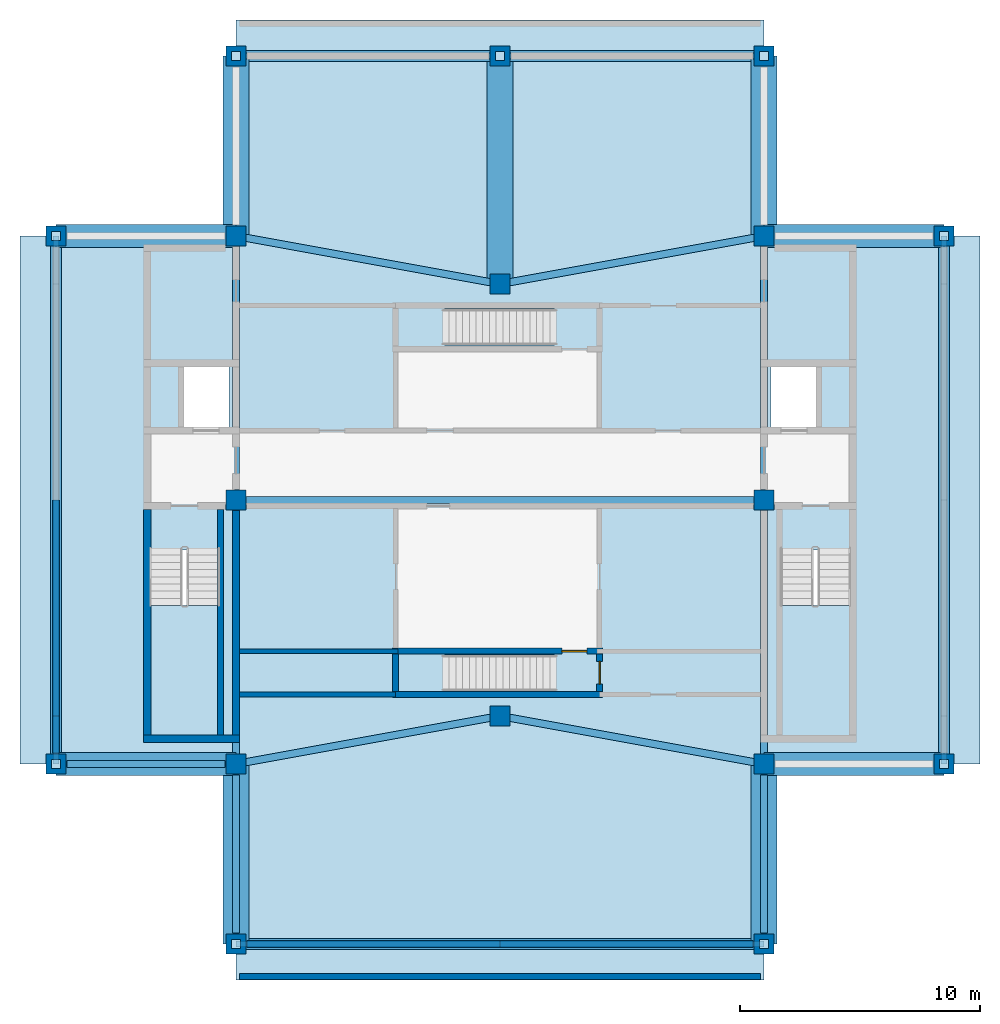
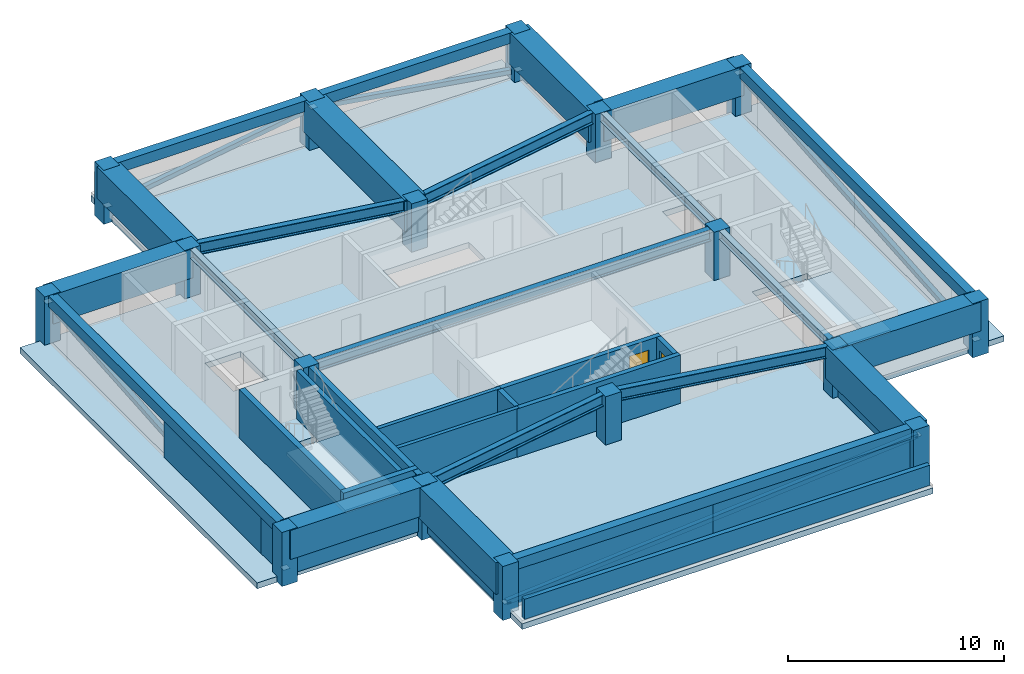
# One storey, part 1 of 4: 20 beams, 18 walls, 17 columns, 9 plates, 7 slabs, 5 members, 2 doors, 2 openings, 2 elements without a shape of their own.
"""IFC4 building model written with IfcOpenShell, lengths in metres."""

from ifc_helpers import new_model, si_unit, direction, frame, frame_2d, origin, origin_2d, place, context, subcontext, project, spatial, polyline, rectangle, hollow_rectangle, i_section, outline, extrude, material, layer, layer_set, material_profile, profile_set, type_object, element, fill, aggregate, save


model = new_model("IFC4")

# Units and contexts
model_context = context("Model", 3, precision=1e-05, world=origin(), true_north=direction((0.0, 1.0)))
body_context = subcontext(model_context, "Body", "Model", "MODEL_VIEW")
ifc_project = project(units=[si_unit("LENGTHUNIT", "METRE"), si_unit("AREAUNIT", "SQUARE_METRE"), si_unit("VOLUMEUNIT", "CUBIC_METRE"), si_unit("PLANEANGLEUNIT", "RADIAN"), si_unit("MASSUNIT", "GRAM", prefix="KILO")], contexts=[model_context])

# Site, building, storey
site_placement = place(None, origin())
site = spatial("IfcSite", under=ifc_project, at=site_placement, CompositionType="ELEMENT")
building_placement = place(site_placement, origin())
building = spatial("IfcBuilding", under=site, at=building_placement, Name="Zulmaris Gate Convention Tower", CompositionType="ELEMENT")
storey_placement = place(building_placement, frame((0.0, 0.0, 284.85986328125)))
storey = spatial("IfcBuildingStorey", under=building, at=storey_placement, Name="L76", CompositionType="ELEMENT", Elevation=284.85986328125)

# Columns
ifc_material_1 = material(Name="Concrete C60/75", Category="concrete")
ifc_material_profile_1 = material_profile(ifc_material_1, rectangle(XDim=0.85009765625, YDim=0.85009765625, at=origin_2d()), Name="RC COL 850x850")
ifc_profile_set_1 = profile_set([ifc_material_profile_1], Name="Concrete C60/75")
column_type = type_object("IfcColumnType", Name="COL-RC850", PredefinedType="COLUMN", material=ifc_profile_set_1)
for number, where, z_axis, x_axis, name in (
    (1, (-11.0, -18.5, -0.324951171875), (0.0, 0.0, 1.0), (1.0, 0.0, 0.0), "L76 Column CR--11.00_-18.50"),
    (2, (11.0, -18.5, -0.324951171875), (0.0, 0.0, 1.0), (1.0, 0.0, 0.0), "L76 Column CR-+11.00_-18.50"),
    (3, (18.5, -11.0, -0.324951171875), (0.0, 0.0, 1.0), (1.0, 0.0, 0.0), "L76 Column CR-+18.50_-11.00"),
    (4, (18.5, 11.0, -0.324951171875), (0.0, 0.0, 1.0), (1.0, 0.0, 0.0), "L76 Column CR-+18.50_+11.00"),
    (5, (11.0, 18.5, -0.324951171875), (0.0, 0.0, 1.0), (1.0, 0.0, 0.0), "L76 Column CR-+11.00_+18.50"),
    (6, (0.0, 18.5, -0.324951171875), (0.0, 0.0, 1.0), (1.0, 0.0, 0.0), "L76 Column CR-+0.00_+18.50"),
    (7, (-11.0, 18.5, -0.324951171875), (0.0, 0.0, 1.0), (1.0, 0.0, 0.0), "L76 Column CR--11.00_+18.50"),
    (8, (-18.5, 11.0, -0.324951171875), (0.0, 0.0, 1.0), (1.0, 0.0, 0.0), "L76 Column CR--18.50_+11.00"),
    (9, (-18.5, -11.0, -0.324951171875), (0.0, 0.0, 1.0), (1.0, 0.0, 0.0), "L76 Column CR--18.50_-11.00"),
    (10, (-11.0, -11.0, -0.324951171875), (0.0, 0.0, 1.0), (1.0, 0.0, 0.0), "L76 Column CR--11.00_-11.00"),
    (11, (11.0, -11.0, -0.324951171875), (0.0, 0.0, 1.0), (1.0, 0.0, 0.0), "L76 Column CR-+11.00_-11.00"),
    (12, (-11.0, 11.0, -0.324951171875), (0.0, 0.0, 1.0), (1.0, 0.0, 0.0), "L76 Column CR--11.00_+11.00"),
    (13, (11.0, 11.0, -0.324951171875), (0.0, 0.0, 1.0), (1.0, 0.0, 0.0), "L76 Column CR-+11.00_+11.00"),
    (14, (-11.0, 0.0, -0.324951171875), (0.0, 0.0, 1.0), (1.0, 0.0, 0.0), "L76 Column CR--11.00_+0.00"),
    (15, (11.0, 0.0, -0.324951171875), (0.0, 0.0, 1.0), (1.0, 0.0, 0.0), "L76 Column CR-+11.00_+0.00"),
    (16, (0.0, -9.0, -0.324951171875), (0.0, 0.0, 1.0), (1.0, 0.0, 0.0), "L76 Column CR-+0.00_-9.00"),
    (17, (0.0, 9.0, -0.324951171875), (0.0, 0.0, 1.0), (1.0, 0.0, 0.0), "L76 Column CR-+0.00_+9.00"),
):
    element("IfcColumn", number, at=place(storey_placement, frame(where, z_axis=z_axis, x_axis=x_axis)), inside=storey, type_object=column_type, Name=name, PredefinedType="COLUMN", context=body_context, shape_type="SweptSolid", body=[
        extrude(rectangle(XDim=0.85009765625, YDim=0.85009765625, at=origin_2d()), origin(), (0.0, 0.0, 1.0), 3.06005859375),
    ])

# Beams
ifc_material_2 = material(Name="Steel S355", Category="steel")
ifc_material_profile_2 = material_profile(ifc_material_2, i_section(OverallWidth=0.300048828125, OverallDepth=0.5, WebThickness=0.014404296875, FlangeThickness=0.028076171875, FilletRadius=0.027099609375, at=origin_2d()), Name="HEB 500")
ifc_profile_set_2 = profile_set([ifc_material_profile_2], Name="Steel S355")
beam_type_1 = type_object("IfcBeamType", Name="BM-HEB500", PredefinedType="BEAM", material=ifc_profile_set_2)
for number, where, z_axis, x_axis, name in (
    (18, (-11.0, -11.0, 2.483154296875), (0.0, 1.0, 0.0), (-1.0, 0.0, 0.0), "L76 Beam BM-L76-CY--11.0-M"),
    (19, (11.0, -11.0, 2.483154296875), (0.0, 1.0, 0.0), (-1.0, 0.0, 0.0), "L76 Beam BM-L76-CY-+11.0-M"),
):
    element("IfcBeam", number, at=place(storey_placement, frame(where, z_axis=z_axis, x_axis=x_axis)), inside=storey, type_object=beam_type_1, Name=name, PredefinedType="BEAM", context=body_context, shape_type="SweptSolid", body=[
        extrude(i_section(OverallWidth=0.300048828125, OverallDepth=0.5, WebThickness=0.014404296875, FlangeThickness=0.028076171875, FilletRadius=0.027099609375, at=origin_2d()), origin(), (0.0, 0.0, 1.0), 22.0),
    ])
ifc_material_profile_3 = material_profile(ifc_material_2, i_section(OverallWidth=0.300048828125, OverallDepth=0.64990234375, WebThickness=0.01611328125, FlangeThickness=0.031005859375, FilletRadius=0.027099609375, at=origin_2d()), Name="HEB 650")
ifc_profile_set_3 = profile_set([ifc_material_profile_3], Name="Steel S355")
beam_type_2 = type_object("IfcBeamType", Name="BM-HEB650", PredefinedType="BEAM", material=ifc_profile_set_3)
for number, where, z_axis, x_axis, name in (
    (20, (-11.0, -11.0, 2.407958984375), (0.9838699101, 0.1788854382, 0.0), (-0.1788854382, 0.9838699101, 0.0), "L76 Beam BM-L76-CX--9.9-M1"),
    (21, (0.0, -9.0, 2.407958984375), (0.9838699101, -0.1788854382, 0.0), (0.1788854382, 0.9838699101, 0.0), "L76 Beam BM-L76-CX--9.9-M2"),
    (22, (-11.0, 11.0, 2.407958984375), (0.9838699101, -0.1788854382, 0.0), (0.1788854382, 0.9838699101, 0.0), "L76 Beam BM-L76-CX-+10.5-M1"),
    (23, (0.0, 9.0, 2.407958984375), (0.9838699101, 0.1788854382, 0.0), (-0.1788854382, 0.9838699101, 0.0), "L76 Beam BM-L76-CX-+10.5-M2"),
):
    element("IfcBeam", number, at=place(storey_placement, frame(where, z_axis=z_axis, x_axis=x_axis)), inside=storey, type_object=beam_type_2, Name=name, PredefinedType="BEAM", context=body_context, shape_type="SweptSolid", body=[
        extrude(i_section(OverallWidth=0.300048828125, OverallDepth=0.64990234375, WebThickness=0.01611328125, FlangeThickness=0.031005859375, FilletRadius=0.027099609375, at=origin_2d()), origin(), (0.0, 0.0, 1.0), 11.180419921875),
    ])
beam_1_placement = place(storey_placement, frame((-11.0, 0.0, 2.407958984375), z_axis=(1.0, 0.0, 0.0), x_axis=(0.0, 1.0, 0.0)))
element("IfcBeam", 24, at=beam_1_placement, inside=storey, type_object=beam_type_2, Name="L76 Beam BM-L76-CX-MID", PredefinedType="BEAM", context=body_context, shape_type="SweptSolid", body=[
    extrude(i_section(OverallWidth=0.300048828125, OverallDepth=0.64990234375, WebThickness=0.01611328125, FlangeThickness=0.031005859375, FilletRadius=0.027099609375, at=origin_2d()), origin(), (0.0, 0.0, 1.0), 22.0),
])
ifc_material_3 = material(Name="Precast concrete C50/60", Category="concrete")
ifc_material_profile_4 = material_profile(ifc_material_3, rectangle(XDim=0.449951171875, YDim=0.60009765625, at=origin_2d()), Name="RC SPANDREL 450x600")
ifc_profile_set_4 = profile_set([ifc_material_profile_4], Name="Precast concrete C50/60")
beam_type_3 = type_object("IfcBeamType", Name="BM-SP450x600", PredefinedType="SPANDREL", material=ifc_profile_set_4)
for number, where, z_axis, x_axis, name in (
    (25, (-11.0, -18.5, 2.43505859375), (1.0, 0.0, 0.0), (0.0, 1.0, 0.0), "L76 Spandrel SP-L76-01"),
    (26, (18.5, -11.0, 2.43505859375), (0.0, 1.0, 0.0), (-1.0, 0.0, 0.0), "L76 Spandrel SP-L76-04"),
    (27, (11.0, 18.5, 2.43505859375), (-1.0, 0.0, 0.0), (0.0, -1.0, 0.0), "L76 Spandrel SP-L76-07"),
    (28, (-18.5, 11.0, 2.43505859375), (0.0, -1.0, 0.0), (1.0, 0.0, 0.0), "L76 Spandrel SP-L76-10"),
):
    element("IfcBeam", number, at=place(storey_placement, frame(where, z_axis=z_axis, x_axis=x_axis)), inside=storey, type_object=beam_type_3, Name=name, PredefinedType="SPANDREL", context=body_context, shape_type="SweptSolid", body=[
        extrude(rectangle(XDim=0.449951171875, YDim=0.60009765625, at=origin_2d()), origin(), (0.0, 0.0, 1.0), 22.0),
    ])
ifc_material_4 = material(Name="Concrete C80/95", Category="concrete")
ifc_material_profile_5 = material_profile(ifc_material_4, rectangle(XDim=0.949951171875, YDim=1.64990234375, at=origin_2d()), Name="RC TRANSFER 950x1650")
ifc_profile_set_5 = profile_set([ifc_material_profile_5], Name="Concrete C80/95")
beam_type_4 = type_object("IfcBeamType", Name="BM-XFER1650", PredefinedType="BEAM", material=ifc_profile_set_5)
for number, where, z_axis, x_axis, name in (
    (29, (-18.5, -11.0, 1.91015625), (1.0, 0.0, 0.0), (0.0, 1.0, 0.0), "L76 Beam XFSPX-L76--11.0-W"),
    (30, (11.0, -11.0, 1.91015625), (1.0, 0.0, 0.0), (0.0, 1.0, 0.0), "L76 Beam XFSPX-L76--11.0-E"),
    (31, (-18.5, 11.0, 1.91015625), (1.0, 0.0, 0.0), (0.0, 1.0, 0.0), "L76 Beam XFSPX-L76-+11.0-W"),
    (32, (11.0, 11.0, 1.91015625), (1.0, 0.0, 0.0), (0.0, 1.0, 0.0), "L76 Beam XFSPX-L76-+11.0-E"),
):
    element("IfcBeam", number, at=place(storey_placement, frame(where, z_axis=z_axis, x_axis=x_axis)), inside=storey, type_object=beam_type_4, Name=name, PredefinedType="BEAM", context=body_context, shape_type="SweptSolid", body=[
        extrude(rectangle(XDim=0.949951171875, YDim=1.64990234375, at=origin_2d()), origin(), (0.0, 0.0, 1.0), 7.5),
    ])
ifc_material_profile_6 = material_profile(ifc_material_4, rectangle(XDim=1.10009765625, YDim=1.800048828125, at=origin_2d()), Name="RC TRANSFER 1100x1800")
ifc_profile_set_6 = profile_set([ifc_material_profile_6], Name="Concrete C80/95")
beam_type_5 = type_object("IfcBeamType", Name="BM-XFER1800", PredefinedType="BEAM", material=ifc_profile_set_6)
for number, where, z_axis, x_axis, name in (
    (33, (-11.0, -18.5, 1.8349609375), (0.0, 1.0, 0.0), (-1.0, 0.0, 0.0), "L76 Beam XFSPY-L76--11.0--18.5"),
    (34, (-11.0, 11.0, 1.8349609375), (0.0, 1.0, 0.0), (-1.0, 0.0, 0.0), "L76 Beam XFSPY-L76--11.0-+11.0"),
):
    element("IfcBeam", number, at=place(storey_placement, frame(where, z_axis=z_axis, x_axis=x_axis)), inside=storey, type_object=beam_type_5, Name=name, PredefinedType="BEAM", context=body_context, shape_type="SweptSolid", body=[
        extrude(rectangle(XDim=1.10009765625, YDim=1.800048828125, at=origin_2d()), origin(), (0.0, 0.0, 1.0), 7.5),
    ])
beam_2_placement = place(storey_placement, frame((0.0, 9.0, 1.8349609375), z_axis=(0.0, 1.0, 0.0), x_axis=(-1.0, 0.0, 0.0)))
element("IfcBeam", 35, at=beam_2_placement, inside=storey, type_object=beam_type_5, Name="L76 Beam XFSPY-L76-+0.0-+9.0", PredefinedType="BEAM", context=body_context, shape_type="SweptSolid", body=[
    extrude(rectangle(XDim=1.10009765625, YDim=1.800048828125, at=origin_2d()), origin(), (0.0, 0.0, 1.0), 9.5),
])
for number, where, z_axis, x_axis, name in (
    (36, (11.0, -18.5, 1.8349609375), (0.0, 1.0, 0.0), (-1.0, 0.0, 0.0), "L76 Beam XFSPY-L76-+11.0--18.5"),
    (37, (11.0, 11.0, 1.8349609375), (0.0, 1.0, 0.0), (-1.0, 0.0, 0.0), "L76 Beam XFSPY-L76-+11.0-+11.0"),
):
    element("IfcBeam", number, at=place(storey_placement, frame(where, z_axis=z_axis, x_axis=x_axis)), inside=storey, type_object=beam_type_5, Name=name, PredefinedType="BEAM", context=body_context, shape_type="SweptSolid", body=[
        extrude(rectangle(XDim=1.10009765625, YDim=1.800048828125, at=origin_2d()), origin(), (0.0, 0.0, 1.0), 7.5),
    ])

# Members
ifc_material_profile_7 = material_profile(ifc_material_2, hollow_rectangle(XDim=0.25, YDim=0.25, WallThickness=0.012451171875, at=origin_2d()), Name="SHS 250x250x12.5")
ifc_profile_set_7 = profile_set([ifc_material_profile_7], Name="Steel S355")
member_type = type_object("IfcMemberType", Name="BR-SHS250", PredefinedType="BRACE", material=ifc_profile_set_7)
member_placement = place(storey_placement, frame((-11.0, -18.5, 0.35009765625), z_axis=(0.996905179889, 0.0, 0.07861337234), x_axis=(0.0, 1.0, 0.0)))
element("IfcMember", 38, at=member_placement, inside=storey, type_object=member_type, Name="L76 Crown Perimeter Brace 01", PredefinedType="BRACE", context=body_context, shape_type="SweptSolid", body=[
    extrude(hollow_rectangle(XDim=0.25, YDim=0.25, WallThickness=0.012451171875, at=origin_2d()), origin(), (0.0, 0.0, 1.0), 22.068359375),
])
for number, where, z_axis, x_axis, name in (
    (39, (-11.0, 18.5, 0.35009765625), (0.987790325004, 0.0, 0.155789196766), (0.0, 1.0, 0.0), "L76 Crown Perimeter Brace 02"),
    (40, (0.0, 18.5, 2.0849609375), (0.987790325004, 0.0, -0.155789196766), (0.0, 1.0, 0.0), "L76 Crown Perimeter Brace 03"),
):
    element("IfcMember", number, at=place(storey_placement, frame(where, z_axis=z_axis, x_axis=x_axis)), inside=storey, type_object=member_type, Name=name, PredefinedType="BRACE", context=body_context, shape_type="SweptSolid", body=[
        extrude(hollow_rectangle(XDim=0.25, YDim=0.25, WallThickness=0.012451171875, at=origin_2d()), origin(), (0.0, 0.0, 1.0), 11.135986328125),
    ])
for number, where, z_axis, x_axis, name in (
    (41, (-18.5, -11.0, 0.35009765625), (0.0, 0.996905179889, 0.07861337234), (-1.0, 0.0, 0.0), "L76 Crown Perimeter Brace 04"),
    (42, (18.5, -11.0, 0.35009765625), (0.0, 0.996905179889, 0.07861337234), (-1.0, 0.0, 0.0), "L76 Crown Perimeter Brace 05"),
):
    element("IfcMember", number, at=place(storey_placement, frame(where, z_axis=z_axis, x_axis=x_axis)), inside=storey, type_object=member_type, Name=name, PredefinedType="BRACE", context=body_context, shape_type="SweptSolid", body=[
        extrude(hollow_rectangle(XDim=0.25, YDim=0.25, WallThickness=0.012451171875, at=origin_2d()), origin(), (0.0, 0.0, 1.0), 22.068359375),
    ])

# Plates
ifc_material_5 = material(Name="Steel S460", Category="steel")
ifc_layer_1 = layer(ifc_material_5, 0.02197265625, Name="Steel S460")
ifc_layer_set_1 = layer_set([ifc_layer_1], Name="Steel S460")
plate_type = type_object("IfcPlateType", Name="NP-CAP-360", PredefinedType="USERDEFINED", material=ifc_layer_set_1)
for number, where, z_axis, x_axis, name in (
    (43, (-11.0, -18.5, 0.339111328125), (0.0, 0.0, 1.0), (1.0, 0.0, 0.0), "L76 Steel Node Plate CBR-L76-01-P0"),
    (44, (11.0, -18.5, 2.073974609375), (0.0, 0.0, 1.0), (1.0, 0.0, 0.0), "L76 Steel Node Plate CBR-L76-01-P1"),
    (45, (-11.0, 18.5, 0.339111328125), (0.0, 0.0, 1.0), (1.0, 0.0, 0.0), "L76 Steel Node Plate CBR-L76-02-P0"),
    (46, (0.0, 18.5, 2.073974609375), (0.0, 0.0, 1.0), (1.0, 0.0, 0.0), "L76 Steel Node Plate CBR-L76-02-P1"),
    (47, (11.0, 18.5, 0.339111328125), (0.0, 0.0, 1.0), (1.0, 0.0, 0.0), "L76 Steel Node Plate CBR-L76-03-P1"),
    (48, (-18.5, -11.0, 0.339111328125), (0.0, 0.0, 1.0), (1.0, 0.0, 0.0), "L76 Steel Node Plate CBR-L76-04-P0"),
    (49, (-18.5, 11.0, 2.073974609375), (0.0, 0.0, 1.0), (1.0, 0.0, 0.0), "L76 Steel Node Plate CBR-L76-04-P1"),
    (50, (18.5, -11.0, 0.339111328125), (0.0, 0.0, 1.0), (1.0, 0.0, 0.0), "L76 Steel Node Plate CBR-L76-05-P0"),
    (51, (18.5, 11.0, 2.073974609375), (0.0, 0.0, 1.0), (1.0, 0.0, 0.0), "L76 Steel Node Plate CBR-L76-05-P1"),
):
    element("IfcPlate", number, at=place(storey_placement, frame(where, z_axis=z_axis, x_axis=x_axis)), inside=storey, type_object=plate_type, Name=name, ObjectType="FLANGE PLATE", PredefinedType="USERDEFINED", context=body_context, shape_type="SweptSolid", body=[
        extrude(rectangle(XDim=0.360107421875, YDim=0.360107421875, at=origin_2d()), origin(), (0.0, 0.0, 1.0), 0.02197265625),
    ])

# Slab
ifc_material_6 = material(Name="Concrete C50/60", Category="concrete")
ifc_layer_2 = layer(ifc_material_6, 0.324951171875, Name="Concrete C50/60")
ifc_layer_set_2 = layer_set([ifc_layer_2], Name="Concrete C50/60")
slab_type_1 = type_object("IfcSlabType", Name="SL-FLR-325", PredefinedType="FLOOR", material=ifc_layer_set_2)
slab_1_placement = place(storey_placement, frame((0.0, 0.0, -0.324951171875)))
element("IfcSlab", 52, at=slab_1_placement, inside=storey, type_object=slab_type_1, Name="L76 Crown Plant Floor Slab", PredefinedType="FLOOR", context=body_context, shape_type="SweptSolid", body=[
    extrude(outline(polyline([(-11.0, -18.5), (11.0, -18.5), (11.0, -11.0), (18.5, -11.0), (18.5, 11.0), (11.0, 11.0), (11.0, 18.5), (-11.0, 18.5), (-11.0, 11.0), (-18.5, 11.0), (-18.5, -11.0), (-11.0, -11.0), (-11.0, -18.5)]), holes=[polyline([(-14.6201171875, -2.080078125), (-14.6201171875, -9.85009765625), (-11.659912109375, -9.85009765625), (-11.659912109375, -2.080078125), (-14.6201171875, -2.080078125)]), polyline([(11.659912109375, -2.080078125), (11.659912109375, -9.85009765625), (14.6201171875, -9.85009765625), (14.6201171875, -2.080078125), (11.659912109375, -2.080078125)]), polyline([(-2.320068359375, -7.949951171875), (2.280029296875, -7.949951171875), (2.280029296875, -6.449951171875), (-2.320068359375, -6.449951171875), (-2.320068359375, -7.949951171875)]), polyline([(-2.320068359375, 6.449951171875), (2.280029296875, 6.449951171875), (2.280029296875, 7.949951171875), (-2.320068359375, 7.949951171875), (-2.320068359375, 6.449951171875)]), polyline([(-13.199951171875, 3.0), (-11.300048828125, 3.0), (-11.300048828125, 5.60009765625), (-13.199951171875, 5.60009765625), (-13.199951171875, 3.0)]), polyline([(11.300048828125, 3.0), (13.199951171875, 3.0), (13.199951171875, 5.60009765625), (11.300048828125, 5.60009765625), (11.300048828125, 3.0)])]), origin(), (0.0, 0.0, 1.0), 0.324951171875),
])

# Stair, slab
ifc_material_7 = material(Name="Concrete C45/55", Category="concrete")
stair_type = type_object("IfcStairType", Name="ST-CORE-DOGLEG", PredefinedType="HALF_TURN_STAIR", material=ifc_material_7)
stair_1_placement = place(storey_placement, origin())
stair_1 = element("IfcStair", 53, at=stair_1_placement, inside=storey, type_object=stair_type, Name="L76 Core Exit Stair ST-1", PredefinedType="HALF_TURN_STAIR")
ifc_layer_3 = layer(ifc_material_7, 0.199951171875, Name="Concrete C45/55")
ifc_layer_set_3 = layer_set([ifc_layer_3], Name="Concrete C45/55")
slab_type_2 = type_object("IfcSlabType", Name="SL-LND-200", PredefinedType="LANDING", material=ifc_layer_set_3)
slab_2_placement = place(storey_placement, frame((0.0, 0.0, 1.330078125)))
slab_2 = element("IfcSlab", 54, at=slab_2_placement, type_object=slab_type_2, Name="ST-1 landing 1", PredefinedType="LANDING", context=body_context, shape_type="SweptSolid", body=[
    extrude(outline(polyline([(-14.6201171875, -4.39990234375), (-14.6201171875, -9.85009765625), (-11.659912109375, -9.85009765625), (-11.659912109375, -4.39990234375), (-14.6201171875, -4.39990234375)])), origin(), (0.0, 0.0, 1.0), 0.199951171875),
])
aggregate(stair_1, [slab_2])

stair_2_placement = place(storey_placement, origin())
stair_2 = element("IfcStair", 55, at=stair_2_placement, inside=storey, type_object=stair_type, Name="L76 Core Exit Stair ST-2", PredefinedType="HALF_TURN_STAIR")
slab_3_placement = place(storey_placement, frame((0.0, 0.0, 1.330078125)))
slab_3 = element("IfcSlab", 56, at=slab_3_placement, type_object=slab_type_2, Name="ST-2 landing 1", PredefinedType="LANDING", context=body_context, shape_type="SweptSolid", body=[
    extrude(outline(polyline([(11.659912109375, -4.39990234375), (11.659912109375, -9.85009765625), (14.6201171875, -9.85009765625), (14.6201171875, -4.39990234375), (11.659912109375, -4.39990234375)])), origin(), (0.0, 0.0, 1.0), 0.199951171875),
])
aggregate(stair_2, [slab_3])

# Slabs
ifc_layer_4 = layer(ifc_material_6, 0.324951171875, Name="Concrete C50/60")
ifc_layer_set_4 = layer_set([ifc_layer_4], Name="Concrete C50/60")
slab_type_3 = type_object("IfcSlabType", Name="SL-ROOF-325", PredefinedType="ROOF", material=ifc_layer_set_4)
slab_4_placement = place(storey_placement, frame((0.0, 0.0, -0.324951171875)))
element("IfcSlab", 57, at=slab_4_placement, inside=storey, type_object=slab_type_3, Name="L76 Stepped Crown Setback Roof Cap N", PredefinedType="ROOF", context=body_context, shape_type="SweptSolid", body=[
    extrude(outline(polyline([(-11.0, 18.5), (11.0, 18.5), (11.0, 20.0), (-11.0, 20.0), (-11.0, 18.5)])), origin(), (0.0, 0.0, 1.0), 0.324951171875),
])
slab_5_placement = place(storey_placement, frame((0.0, 0.0, -0.324951171875)))
element("IfcSlab", 58, at=slab_5_placement, inside=storey, type_object=slab_type_3, Name="L76 Stepped Crown Setback Roof Cap S", PredefinedType="ROOF", context=body_context, shape_type="SweptSolid", body=[
    extrude(outline(polyline([(-11.0, -20.0), (11.0, -20.0), (11.0, -18.5), (-11.0, -18.5), (-11.0, -20.0)])), origin(), (0.0, 0.0, 1.0), 0.324951171875),
])
slab_6_placement = place(storey_placement, frame((0.0, 0.0, -0.324951171875)))
element("IfcSlab", 59, at=slab_6_placement, inside=storey, type_object=slab_type_3, Name="L76 Stepped Crown Setback Roof Cap W", PredefinedType="ROOF", context=body_context, shape_type="SweptSolid", body=[
    extrude(outline(polyline([(-20.0, -11.0), (-18.5, -11.0), (-18.5, 11.0), (-20.0, 11.0), (-20.0, -11.0)])), origin(), (0.0, 0.0, 1.0), 0.324951171875),
])
slab_7_placement = place(storey_placement, frame((0.0, 0.0, -0.324951171875)))
element("IfcSlab", 60, at=slab_7_placement, inside=storey, type_object=slab_type_3, Name="L76 Stepped Crown Setback Roof Cap E", PredefinedType="ROOF", context=body_context, shape_type="SweptSolid", body=[
    extrude(outline(polyline([(18.5, -11.0), (20.0, -11.0), (20.0, 11.0), (18.5, 11.0), (18.5, -11.0)])), origin(), (0.0, 0.0, 1.0), 0.324951171875),
])

# Wall
ifc_layer_5 = layer(ifc_material_6, 0.25, Name="Concrete C50/60")
ifc_layer_set_5 = layer_set([ifc_layer_5], Name="Concrete C50/60")
wall_type_1 = type_object("IfcWallType", Name="CORE-250", PredefinedType="SOLIDWALL", material=ifc_layer_set_5)
wall_1_placement = place(storey_placement, frame((-4.47509765625, -8.10009765625, 0.0), z_axis=(0.0, 0.0, 1.0), x_axis=(1.0, 0.0, 0.0)))
element("IfcWall", 61, at=wall_1_placement, inside=storey, type_object=wall_type_1, Name="WL-L76-003", PredefinedType="SOLIDWALL", context=body_context, shape_type="SweptSolid", body=[
    extrude(rectangle(XDim=8.75, YDim=0.25, at=frame_2d((4.375, 0.0))), origin(), (0.0, 0.0, 1.0), 2.735107421875),
])

# Wall, opening, door
wall_2_placement = place(storey_placement, frame((-4.47509765625, -6.300048828125, 0.0), z_axis=(0.0, 0.0, 1.0), x_axis=(1.0, 0.0, 0.0)))
wall_2 = element("IfcWall", 62, at=wall_2_placement, inside=storey, type_object=wall_type_1, Name="WL-L76-004", PredefinedType="SOLIDWALL", context=body_context, shape_type="SweptSolid", body=[
    extrude(rectangle(XDim=8.75, YDim=0.25, at=frame_2d((4.375, 0.0))), origin(), (0.0, 0.0, 1.0), 2.735107421875),
])
opening_1_placement = place(wall_2_placement, frame((7.050048828125, 0.0, 0.0)))
opening_1 = element("IfcOpeningElement", 63, at=opening_1_placement, cuts=wall_2, Name="Opening D-09", PredefinedType="OPENING", context=body_context, shape_type="SweptSolid", body=[
    extrude(rectangle(XDim=1.050048828125, YDim=2.14990234375, at=frame_2d((0.52490234375, 1.074951171875))), frame((0.0, 0.135009765625, 0.0), z_axis=(0.0, -1.0, 0.0), x_axis=(1.0, 0.0, 0.0)), (0.0, 0.0, 1.0), 0.27001953125),
])
ifc_material_8 = material(Name="Fire-Rated Steel", Category="steel")
door_type_1 = type_object("IfcDoorType", Name="DR-1050-FD", OperationType="NOTDEFINED", PredefinedType="DOOR", material=ifc_material_8)
door_1_placement = place(opening_1_placement, origin())
door_1 = element("IfcDoor", 64, at=door_1_placement, inside=storey, type_object=door_type_1, Name="L76 Crown Stair ST-7 Door 09", OperationType="SINGLE_SWING_RIGHT", OverallHeight=2.14990234375, OverallWidth=1.050048828125, PredefinedType="DOOR", context=body_context, shape_type="SweptSolid", body=[
    extrude(rectangle(XDim=1.050048828125, YDim=2.14990234375, at=frame_2d((0.52490234375, 1.074951171875))), frame((0.0, 0.02490234375, 0.0), z_axis=(0.0, -1.0, 0.0), x_axis=(1.0, 0.0, 0.0)), (0.0, 0.0, 1.0), 0.050048828125),
])
fill(opening_1, door_1)

# Walls
wall_3_placement = place(storey_placement, frame((-11.64990234375, -9.798095703125, 0.0), z_axis=(0.0, 0.0, 1.0), x_axis=(0.0, 1.0, 0.0)))
element("IfcWall", 65, at=wall_3_placement, inside=storey, type_object=wall_type_1, Name="WL-L76-028", PredefinedType="SOLIDWALL", context=body_context, shape_type="SweptSolid", body=[
    extrude(rectangle(XDim=9.39599609375, YDim=0.25, at=frame_2d((4.697998046875, 0.0))), origin(), (0.0, 0.0, 1.0), 2.735107421875),
])
wall_4_placement = place(storey_placement, frame((-4.35009765625, -7.972900390625, 0.0), z_axis=(0.0, 0.0, 1.0), x_axis=(0.0, 1.0, 0.0)))
element("IfcWall", 66, at=wall_4_placement, inside=storey, type_object=wall_type_1, Name="WL-L76-033", PredefinedType="SOLIDWALL", context=body_context, shape_type="SweptSolid", body=[
    extrude(rectangle(XDim=1.5458984375, YDim=0.25, at=frame_2d((0.77294921875, 0.0))), origin(), (0.0, 0.0, 1.0), 2.735107421875),
])

# Wall, opening, door
wall_5_placement = place(storey_placement, frame((4.14990234375, -7.972900390625, 0.0), z_axis=(0.0, 0.0, 1.0), x_axis=(0.0, 1.0, 0.0)))
wall_5 = element("IfcWall", 67, at=wall_5_placement, inside=storey, type_object=wall_type_1, Name="WL-L76-035", PredefinedType="SOLIDWALL", context=body_context, shape_type="SweptSolid", body=[
    extrude(rectangle(XDim=1.5458984375, YDim=0.25, at=frame_2d((0.77294921875, 0.0))), origin(), (0.0, 0.0, 1.0), 2.735107421875),
])
opening_2_placement = place(wall_5_placement, frame((0.298095703125, 0.0, 0.0)))
opening_2 = element("IfcOpeningElement", 68, at=opening_2_placement, cuts=wall_5, Name="Opening D-11", PredefinedType="OPENING", context=body_context, shape_type="SweptSolid", body=[
    extrude(rectangle(XDim=0.949951171875, YDim=2.14990234375, at=frame_2d((0.47509765625, 1.074951171875))), frame((0.0, 0.135009765625, 0.0), z_axis=(0.0, -1.0, 0.0), x_axis=(1.0, 0.0, 0.0)), (0.0, 0.0, 1.0), 0.27001953125),
])
ifc_material_9 = material(Name="Fire-Rated Timber", Category="wood")
door_type_2 = type_object("IfcDoorType", Name="DR-950-FD", OperationType="NOTDEFINED", PredefinedType="DOOR", material=ifc_material_9)
door_2_placement = place(opening_2_placement, origin())
door_2 = element("IfcDoor", 69, at=door_2_placement, inside=storey, type_object=door_type_2, Name="L76 South Vestibule Door 18", OperationType="SINGLE_SWING_LEFT", OverallHeight=2.14990234375, OverallWidth=0.949951171875, PredefinedType="DOOR", context=body_context, shape_type="SweptSolid", body=[
    extrude(rectangle(XDim=0.949951171875, YDim=2.14990234375, at=frame_2d((0.47509765625, 1.074951171875))), frame((0.0, 0.02490234375, 0.0), z_axis=(0.0, -1.0, 0.0), x_axis=(1.0, 0.0, 0.0)), (0.0, 0.0, 1.0), 0.050048828125),
])
fill(opening_2, door_2)

# Walls
ifc_layer_6 = layer(ifc_material_6, 0.300048828125, Name="Concrete C50/60")
ifc_layer_set_6 = layer_set([ifc_layer_6], Name="Concrete C50/60")
wall_type_2 = type_object("IfcWallType", Name="CORE-300", PredefinedType="SHEAR", material=ifc_layer_set_6)
wall_6_placement = place(storey_placement, frame((-14.85009765625, -9.949951171875, 0.0), z_axis=(0.0, 0.0, 1.0), x_axis=(1.0, 0.0, 0.0)))
element("IfcWall", 70, at=wall_6_placement, inside=storey, type_object=wall_type_2, Name="WL-L76-001", PredefinedType="SHEAR", context=body_context, shape_type="SweptSolid", body=[
    extrude(rectangle(XDim=4.0, YDim=0.300048828125, at=frame_2d((2.0, 0.0))), origin(), (0.0, 0.0, 1.0), 2.735107421875),
])
wall_7_placement = place(storey_placement, frame((-14.699951171875, -9.798095703125, 0.0), z_axis=(0.0, 0.0, 1.0), x_axis=(0.0, 1.0, 0.0)))
element("IfcWall", 71, at=wall_7_placement, inside=storey, type_object=wall_type_2, Name="WL-L76-023", PredefinedType="SHEAR", context=body_context, shape_type="SweptSolid", body=[
    extrude(rectangle(XDim=9.39599609375, YDim=0.300048828125, at=frame_2d((4.697998046875, 0.0))), origin(), (0.0, 0.0, 1.0), 2.735107421875),
])
wall_8_placement = place(storey_placement, frame((-11.0, -9.798095703125, 0.0), z_axis=(0.0, 0.0, 1.0), x_axis=(0.0, 1.0, 0.0)))
element("IfcWall", 72, at=wall_8_placement, inside=storey, type_object=wall_type_2, Name="WL-L76-029", PredefinedType="SHEAR", context=body_context, shape_type="SweptSolid", body=[
    extrude(rectangle(XDim=9.369140625, YDim=0.300048828125, at=frame_2d((4.6845703125, 0.0))), origin(), (0.0, 0.0, 1.0), 2.735107421875),
])
ifc_material_10 = material(Name="Autoclaved Aerated Concrete Block and Plasterboard", Category="concrete")
ifc_layer_7 = layer(ifc_material_10, 0.199951171875, Name="Autoclaved Aerated Concrete Block and Plasterboard")
ifc_layer_set_7 = layer_set([ifc_layer_7], Name="Autoclaved Aerated Concrete Block and Plasterboard")
wall_type_3 = type_object("IfcWallType", Name="PART-200", PredefinedType="PARTITIONING", material=ifc_layer_set_7)
wall_9_placement = place(storey_placement, frame((-10.846923828125, -8.10009765625, 0.0), z_axis=(0.0, 0.0, 1.0), x_axis=(1.0, 0.0, 0.0)))
element("IfcWall", 73, at=wall_9_placement, inside=storey, type_object=wall_type_3, Name="WL-L76-015", PredefinedType="PARTITIONING", context=body_context, shape_type="SweptSolid", body=[
    extrude(rectangle(XDim=6.496826171875, YDim=0.199951171875, at=frame_2d((3.24853515625, 0.0))), origin(), (0.0, 0.0, 1.0), 2.735107421875),
])
wall_10_placement = place(storey_placement, frame((-10.846923828125, -6.300048828125, 0.0), z_axis=(0.0, 0.0, 1.0), x_axis=(1.0, 0.0, 0.0)))
element("IfcWall", 74, at=wall_10_placement, inside=storey, type_object=wall_type_3, Name="WL-L76-017", PredefinedType="PARTITIONING", context=body_context, shape_type="SweptSolid", body=[
    extrude(rectangle(XDim=6.596923828125, YDim=0.199951171875, at=frame_2d((3.29833984375, 0.0))), origin(), (0.0, 0.0, 1.0), 2.735107421875),
])
ifc_material_11 = material(Name="Precast concrete C40/50", Category="concrete")
ifc_layer_8 = layer(ifc_material_11, 0.300048828125, Name="Precast concrete C40/50")
ifc_layer_set_8 = layer_set([ifc_layer_8], Name="Precast concrete C40/50")
wall_type_4 = type_object("IfcWallType", Name="PRECAST-CROWN-300", PredefinedType="STANDARD", material=ifc_layer_set_8)
for number, where, z_axis, x_axis, name in (
    (75, (-10.544921875, -18.5, 0.0), (0.0, 0.0, 1.0), (1.0, 0.0, 0.0), "EW-L76-CR-S0_0"),
    (76, (0.0, -18.5, 0.0), (0.0, 0.0, 1.0), (1.0, 0.0, 0.0), "EW-L76-CR-S1_0"),
):
    element("IfcWall", number, at=place(storey_placement, frame(where, z_axis=z_axis, x_axis=x_axis)), inside=storey, type_object=wall_type_4, Name=name, PredefinedType="STANDARD", context=body_context, shape_type="SweptSolid", body=[
        extrude(rectangle(XDim=10.544921875, YDim=0.300048828125, at=frame_2d((5.2724609375, 0.0))), origin(), (0.0, 0.0, 1.0), 2.126953125),
    ])
wall_11_placement = place(storey_placement, frame((-18.5, -9.0, 0.0), z_axis=(0.0, 0.0, 1.0), x_axis=(0.0, -1.0, 0.0)))
element("IfcWall", 77, at=wall_11_placement, inside=storey, type_object=wall_type_4, Name="EW-L76-CR-W0_0", PredefinedType="STANDARD", context=body_context, shape_type="SweptSolid", body=[
    extrude(rectangle(XDim=1.544921875, YDim=0.300048828125, at=frame_2d((0.7724609375, 0.0))), origin(), (0.0, 0.0, 1.0), 2.126953125),
])
wall_12_placement = place(storey_placement, frame((-18.5, 0.0, 0.0), z_axis=(0.0, 0.0, 1.0), x_axis=(0.0, -1.0, 0.0)))
element("IfcWall", 78, at=wall_12_placement, inside=storey, type_object=wall_type_4, Name="EW-L76-CR-W1_0", PredefinedType="STANDARD", context=body_context, shape_type="SweptSolid", body=[
    extrude(rectangle(XDim=9.0, YDim=0.300048828125, at=frame_2d((4.5, 0.0))), origin(), (0.0, 0.0, 1.0), 2.126953125),
])
wall_13_placement = place(storey_placement, frame((11.0, -18.044921875, 0.0), z_axis=(0.0, 0.0, 1.0), x_axis=(0.0, 1.0, 0.0)))
element("IfcWall", 79, at=wall_13_placement, inside=storey, type_object=wall_type_4, Name="EW-L76-CR-SE1_0", PredefinedType="STANDARD", context=body_context, shape_type="SweptSolid", body=[
    extrude(rectangle(XDim=6.58984375, YDim=0.300048828125, at=frame_2d((3.294921875, 0.0))), origin(), (0.0, 0.0, 1.0), 0.927001953125),
])
wall_14_placement = place(storey_placement, frame((-18.044921875, -11.0, 0.0), z_axis=(0.0, 0.0, 1.0), x_axis=(1.0, 0.0, 0.0)))
element("IfcWall", 80, at=wall_14_placement, inside=storey, type_object=wall_type_4, Name="EW-L76-CR-SW1_0", PredefinedType="STANDARD", context=body_context, shape_type="SweptSolid", body=[
    extrude(rectangle(XDim=6.58984375, YDim=0.300048828125, at=frame_2d((3.294921875, 0.0))), origin(), (0.0, 0.0, 1.0), 1.0771484375),
])
wall_15_placement = place(storey_placement, frame((-11.0, -11.455078125, 0.0), z_axis=(0.0, 0.0, 1.0), x_axis=(0.0, -1.0, 0.0)))
element("IfcWall", 81, at=wall_15_placement, inside=storey, type_object=wall_type_4, Name="EW-L76-CR-SW2_0", PredefinedType="STANDARD", context=body_context, shape_type="SweptSolid", body=[
    extrude(rectangle(XDim=6.58984375, YDim=0.300048828125, at=frame_2d((3.294921875, 0.0))), origin(), (0.0, 0.0, 1.0), 0.927001953125),
])
ifc_layer_9 = layer(ifc_material_11, 0.25, Name="Precast concrete C40/50")
ifc_layer_set_9 = layer_set([ifc_layer_9], Name="Precast concrete C40/50")
wall_type_5 = type_object("IfcWallType", Name="PRECAST-PARAPET-250", PredefinedType="PARAPET", material=ifc_layer_set_9)
wall_16_placement = place(storey_placement, frame((-10.85009765625, -19.85009765625, 0.179931640625), z_axis=(0.0, 0.0, 1.0), x_axis=(1.0, 0.0, 0.0)))
element("IfcWall", 82, at=wall_16_placement, inside=storey, type_object=wall_type_5, Name="PRP-L76-CROWN-S", PredefinedType="PARAPET", context=body_context, shape_type="SweptSolid", body=[
    extrude(rectangle(XDim=21.7001953125, YDim=0.25, at=frame_2d((10.85009765625, 0.0))), origin(), (0.0, 0.0, 1.0), 1.14013671875),
])

save(model, "model.ifc")
